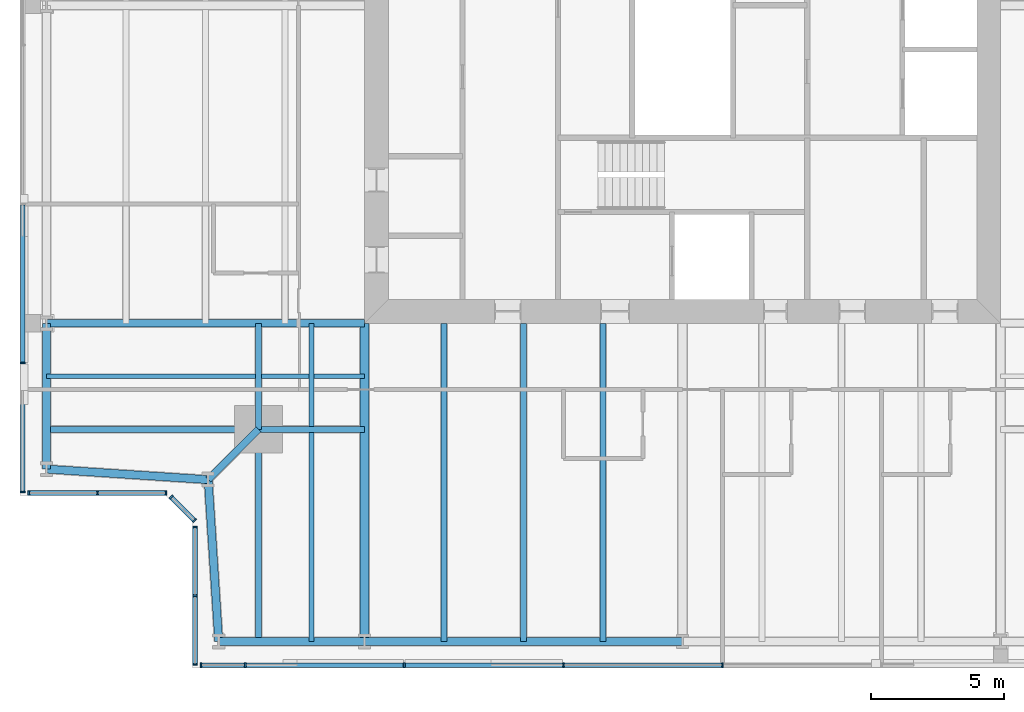
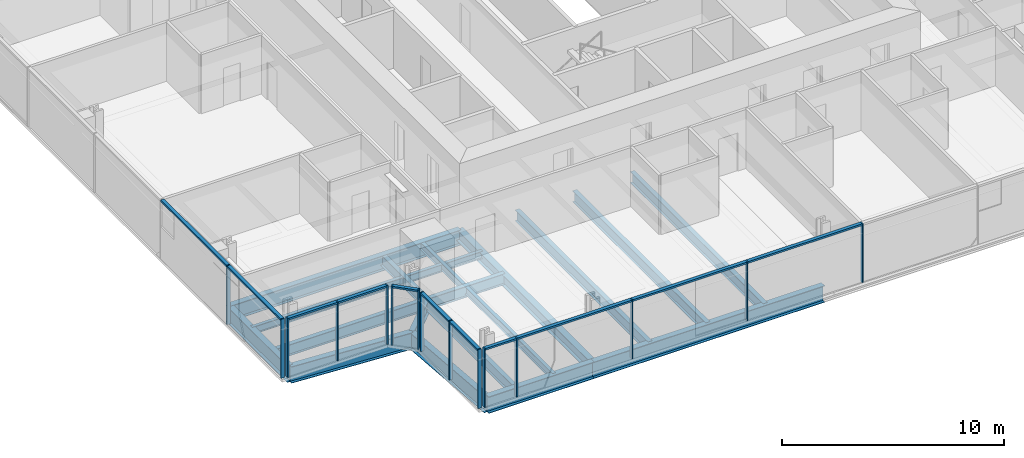
# One storey, part 2 of 18: 26 members, 20 beams, 5 elements without a shape of their own.
"""IFC4 building model written with IfcOpenShell, lengths in metres."""

from ifc_helpers import new_model, si_unit, direction, frame, origin, origin_2d, place, context, subcontext, project, spatial, rectangle, i_section, extrude, material, material_profile, profile_set, type_object, element, aggregate, save


model = new_model("IFC4")

# Units and contexts
model_context = context("Model", 3, precision=1e-05, world=origin(), true_north=direction((0.0, 1.0)))
body_context = subcontext(model_context, "Body", "Model", "MODEL_VIEW")
ifc_project = project(units=[si_unit("LENGTHUNIT", "METRE"), si_unit("AREAUNIT", "SQUARE_METRE"), si_unit("VOLUMEUNIT", "CUBIC_METRE"), si_unit("PLANEANGLEUNIT", "RADIAN"), si_unit("MASSUNIT", "GRAM", prefix="KILO")], contexts=[model_context])

# Site, building, storey
site_placement = place(None, origin())
site = spatial("IfcSite", under=ifc_project, at=site_placement, CompositionType="ELEMENT")
building_placement = place(site_placement, origin())
building = spatial("IfcBuilding", under=site, at=building_placement, Name="Fenwick Lantern Interchange", CompositionType="ELEMENT")
storey_placement = place(building_placement, frame((0.0, 0.0, 266.199951171875)))
storey = spatial("IfcBuildingStorey", under=building, at=storey_placement, Name="L63", CompositionType="ELEMENT", Elevation=266.199951171875)

# Beams
ifc_material_1 = material(Name="Steel ASTM A992 Grade 50", Category="steel")
ifc_material_profile_1 = material_profile(ifc_material_1, i_section(OverallWidth=0.3046875, OverallDepth=0.911865234375, WebThickness=0.015869140625, FlangeThickness=0.02392578125, at=origin_2d()), Name="W36X150")
ifc_profile_set_1 = profile_set([ifc_material_profile_1], Name="Steel ASTM A992 Grade 50")
beam_type_1 = type_object("IfcBeamType", Name="EDGE BEAM W36X150", PredefinedType="SPANDREL", material=ifc_profile_set_1)
beam_1_placement = place(storey_placement, frame((7.5, 1.0, -0.60595703125), z_axis=(1.0, 0.0, 0.0), x_axis=(0.0, 1.0, 0.0)))
element("IfcBeam", 1, at=beam_1_placement, inside=storey, type_object=beam_type_1, Name="L63/FR/S/EB1", PredefinedType="SPANDREL", context=body_context, shape_type="SweptSolid", body=[
    extrude(i_section(OverallWidth=0.3046875, OverallDepth=0.911865234375, WebThickness=0.015869140625, FlangeThickness=0.02392578125, at=origin_2d()), origin(), (0.0, 0.0, 1.0), 5.5),
])
beam_2_placement = place(storey_placement, frame((13.0, 1.0, -0.60595703125), z_axis=(1.0, 0.0, 0.0), x_axis=(0.0, 1.0, 0.0)))
element("IfcBeam", 2, at=beam_2_placement, inside=storey, type_object=beam_type_1, Name="L63/FR/S/EB2", PredefinedType="SPANDREL", context=body_context, shape_type="SweptSolid", body=[
    extrude(i_section(OverallWidth=0.3046875, OverallDepth=0.911865234375, WebThickness=0.015869140625, FlangeThickness=0.02392578125, at=origin_2d()), origin(), (0.0, 0.0, 1.0), 12.0),
])
beam_3_placement = place(storey_placement, frame((1.0, 13.0, -0.60595703125), z_axis=(0.0, -1.0, 0.0), x_axis=(1.0, 0.0, 0.0)))
element("IfcBeam", 3, at=beam_3_placement, inside=storey, type_object=beam_type_1, Name="L63/FR/W/EB4", PredefinedType="SPANDREL", context=body_context, shape_type="SweptSolid", body=[
    extrude(i_section(OverallWidth=0.3046875, OverallDepth=0.911865234375, WebThickness=0.015869140625, FlangeThickness=0.02392578125, at=origin_2d()), origin(), (0.0, 0.0, 1.0), 5.5),
])
for number, where, z_axis, x_axis, name in (
    (4, (1.0, 7.5, -0.60595703125), (0.997858060337, -0.065416293237, 0.0), (0.065416293237, 0.997858060337, 0.0), "L63/FR/W/EBR1"),
    (5, (7.10009765625, 7.10009765625, -0.60595703125), (0.065416293237, -0.997858060337, 0.0), (0.997858060337, 0.065416293237, 0.0), "L63/FR/W/EBR2"),
):
    element("IfcBeam", number, at=place(storey_placement, frame(where, z_axis=z_axis, x_axis=x_axis)), inside=storey, type_object=beam_type_1, Name=name, PredefinedType="SPANDREL", context=body_context, shape_type="SweptSolid", body=[
        extrude(i_section(OverallWidth=0.3046875, OverallDepth=0.911865234375, WebThickness=0.015869140625, FlangeThickness=0.02392578125, at=origin_2d()), origin(), (0.0, 0.0, 1.0), 6.11328125),
    ])
ifc_material_profile_2 = material_profile(ifc_material_1, i_section(OverallWidth=0.22900390625, OverallDepth=0.612060546875, WebThickness=0.011962890625, FlangeThickness=0.01953125, at=origin_2d()), Name="W24X84")
ifc_profile_set_2 = profile_set([ifc_material_profile_2], Name="Steel ASTM A992 Grade 50")
beam_type_2 = type_object("IfcBeamType", Name="FLOOR BEAM W24X84", PredefinedType="BEAM", material=ifc_profile_set_2)
for number, where, z_axis, x_axis, name in (
    (6, (16.0, 1.0, -0.4560546875), (0.0, 1.0, 0.0), (-1.0, 0.0, 0.0), "L63/FR/S/R02"),
    (7, (19.0, 1.0, -0.4560546875), (0.0, 1.0, 0.0), (-1.0, 0.0, 0.0), "L63/FR/S/R03"),
    (8, (22.0, 1.0, -0.4560546875), (0.0, 1.0, 0.0), (-1.0, 0.0, 0.0), "L63/FR/S/R04"),
):
    element("IfcBeam", number, at=place(storey_placement, frame(where, z_axis=z_axis, x_axis=x_axis)), inside=storey, type_object=beam_type_2, Name=name, PredefinedType="BEAM", context=body_context, shape_type="SweptSolid", body=[
        extrude(i_section(OverallWidth=0.22900390625, OverallDepth=0.612060546875, WebThickness=0.011962890625, FlangeThickness=0.01953125, at=origin_2d()), origin(), (0.0, 0.0, 1.0), 12.0),
    ])

# Curtain wall, members
ifc_material_2 = material(Name="Aluminium curtain wall frame", Category="aluminium")
curtain_wall_type = type_object("IfcCurtainWallType", Name="HOTEL CURTAIN WALL", PredefinedType="USERDEFINED", material=ifc_material_2)
curtain_wall_1_placement = place(storey_placement, origin())
curtain_wall_1 = element("IfcCurtainWall", 9, at=curtain_wall_1_placement, inside=storey, type_object=curtain_wall_type, Name="Hotel curtain wall 01", ObjectType="HOTEL CURTAIN WALL", PredefinedType="USERDEFINED")
ifc_material_3 = material(Name="Aluminium extrusion", Category="aluminium")
ifc_material_profile_3 = material_profile(ifc_material_3, rectangle(XDim=0.179931640625, YDim=0.06005859375, at=origin_2d()), Name="HOTEL CURTAIN WALL MULLION 60 X 180")
ifc_profile_set_3 = profile_set([ifc_material_profile_3], Name="Aluminium extrusion")
member_type_1 = type_object("IfcMemberType", Name="HOTEL CURTAIN WALL MULLION 60 X 180", PredefinedType="MULLION", material=ifc_profile_set_3)
member_1_placement = place(storey_placement, frame((6.830078125, 0.10009765625, 0.0), z_axis=(0.0, 0.0, 1.0), x_axis=(0.0, 1.0, 0.0)))
member_1 = element("IfcMember", 10, at=member_1_placement, type_object=member_type_1, Name="L63/CW/01/M00", PredefinedType="MULLION", context=body_context, shape_type="SweptSolid", body=[
    extrude(rectangle(XDim=0.179931640625, YDim=0.06005859375, at=origin_2d()), origin(), (0.0, 0.0, 1.0), 3.25),
])
member_2_placement = place(storey_placement, frame((8.5, 0.10009765625, 0.0), z_axis=(0.0, 0.0, 1.0), x_axis=(0.0, 1.0, 0.0)))
member_2 = element("IfcMember", 11, at=member_2_placement, type_object=member_type_1, Name="L63/CW/01/M01", PredefinedType="MULLION", context=body_context, shape_type="SweptSolid", body=[
    extrude(rectangle(XDim=0.179931640625, YDim=0.06005859375, at=origin_2d()), origin(), (0.0, 0.0, 1.0), 3.25),
])
member_3_placement = place(storey_placement, frame((14.5, 0.10009765625, 0.0), z_axis=(0.0, 0.0, 1.0), x_axis=(0.0, 1.0, 0.0)))
member_3 = element("IfcMember", 12, at=member_3_placement, type_object=member_type_1, Name="L63/CW/01/M02", PredefinedType="MULLION", context=body_context, shape_type="SweptSolid", body=[
    extrude(rectangle(XDim=0.179931640625, YDim=0.06005859375, at=origin_2d()), origin(), (0.0, 0.0, 1.0), 3.25),
])
member_4_placement = place(storey_placement, frame((20.5, 0.10009765625, 0.0), z_axis=(0.0, 0.0, 1.0), x_axis=(0.0, 1.0, 0.0)))
member_4 = element("IfcMember", 13, at=member_4_placement, type_object=member_type_1, Name="L63/CW/01/M03", PredefinedType="MULLION", context=body_context, shape_type="SweptSolid", body=[
    extrude(rectangle(XDim=0.179931640625, YDim=0.06005859375, at=origin_2d()), origin(), (0.0, 0.0, 1.0), 3.25),
])
member_5_placement = place(storey_placement, frame((26.5, 0.10009765625, 0.0), z_axis=(0.0, 0.0, 1.0), x_axis=(0.0, 1.0, 0.0)))
member_5 = element("IfcMember", 14, at=member_5_placement, type_object=member_type_1, Name="L63/CW/01/M04", PredefinedType="MULLION", context=body_context, shape_type="SweptSolid", body=[
    extrude(rectangle(XDim=0.179931640625, YDim=0.06005859375, at=origin_2d()), origin(), (0.0, 0.0, 1.0), 3.25),
])

curtain_wall_2_placement = place(storey_placement, origin())
curtain_wall_2 = element("IfcCurtainWall", 15, at=curtain_wall_2_placement, inside=storey, type_object=curtain_wall_type, Name="Hotel curtain wall 13", ObjectType="HOTEL CURTAIN WALL", PredefinedType="USERDEFINED")
member_6_placement = place(storey_placement, frame((0.10009765625, 11.5, 0.0), z_axis=(0.0, 0.0, 1.0), x_axis=(1.0, 0.0, 0.0)))
member_6 = element("IfcMember", 16, at=member_6_placement, type_object=member_type_1, Name="L63/CW/13/M06", PredefinedType="MULLION", context=body_context, shape_type="SweptSolid", body=[
    extrude(rectangle(XDim=0.179931640625, YDim=0.06005859375, at=origin_2d()), origin(), (0.0, 0.0, 1.0), 3.25),
])
member_7_placement = place(storey_placement, frame((0.10009765625, 6.6298828125, 0.0), z_axis=(0.0, 0.0, 1.0), x_axis=(1.0, 0.0, 0.0)))
member_7 = element("IfcMember", 17, at=member_7_placement, type_object=member_type_1, Name="L63/CW/13/M07", PredefinedType="MULLION", context=body_context, shape_type="SweptSolid", body=[
    extrude(rectangle(XDim=0.179931640625, YDim=0.06005859375, at=origin_2d()), origin(), (0.0, 0.0, 1.0), 3.25),
])

curtain_wall_3_placement = place(storey_placement, origin())
curtain_wall_3 = element("IfcCurtainWall", 18, at=curtain_wall_3_placement, inside=storey, type_object=curtain_wall_type, Name="Hotel curtain wall 14", ObjectType="HOTEL CURTAIN WALL", PredefinedType="USERDEFINED")
member_8_placement = place(storey_placement, frame((0.330078125, 6.60009765625, 0.0), z_axis=(0.0, 0.0, 1.0), x_axis=(0.0, 1.0, 0.0)))
member_8 = element("IfcMember", 19, at=member_8_placement, type_object=member_type_1, Name="L63/CW/14/M00", PredefinedType="MULLION", context=body_context, shape_type="SweptSolid", body=[
    extrude(rectangle(XDim=0.179931640625, YDim=0.06005859375, at=origin_2d()), origin(), (0.0, 0.0, 1.0), 3.25),
])
member_9_placement = place(storey_placement, frame((2.920654296875, 6.60009765625, 0.0), z_axis=(0.0, 0.0, 1.0), x_axis=(0.0, 1.0, 0.0)))
member_9 = element("IfcMember", 20, at=member_9_placement, type_object=member_type_1, Name="L63/CW/14/M01", PredefinedType="MULLION", context=body_context, shape_type="SweptSolid", body=[
    extrude(rectangle(XDim=0.179931640625, YDim=0.06005859375, at=origin_2d()), origin(), (0.0, 0.0, 1.0), 3.25),
])
member_10_placement = place(storey_placement, frame((5.511474609375, 6.60009765625, 0.0), z_axis=(0.0, 0.0, 1.0), x_axis=(0.0, 1.0, 0.0)))
member_10 = element("IfcMember", 21, at=member_10_placement, type_object=member_type_1, Name="L63/CW/14/M02", PredefinedType="MULLION", context=body_context, shape_type="SweptSolid", body=[
    extrude(rectangle(XDim=0.179931640625, YDim=0.06005859375, at=origin_2d()), origin(), (0.0, 0.0, 1.0), 3.25),
])

curtain_wall_4_placement = place(storey_placement, origin())
curtain_wall_4 = element("IfcCurtainWall", 22, at=curtain_wall_4_placement, inside=storey, type_object=curtain_wall_type, Name="Hotel curtain wall 15", ObjectType="HOTEL CURTAIN WALL", PredefinedType="USERDEFINED")
member_11_placement = place(storey_placement, frame((5.7041015625, 6.437255859375, 0.0), z_axis=(0.0, 0.0, 1.0), x_axis=(0.707106781187, 0.707106781187, 0.0)))
member_11 = element("IfcMember", 23, at=member_11_placement, type_object=member_type_1, Name="L63/CW/15/M00", PredefinedType="MULLION", context=body_context, shape_type="SweptSolid", body=[
    extrude(rectangle(XDim=0.179931640625, YDim=0.06005859375, at=origin_2d()), origin(), (0.0, 0.0, 1.0), 3.25),
])
member_12_placement = place(storey_placement, frame((6.578857421875, 5.562744140625, 0.0), z_axis=(0.0, 0.0, 1.0), x_axis=(0.707106781187, 0.707106781187, 0.0)))
member_12 = element("IfcMember", 24, at=member_12_placement, type_object=member_type_1, Name="L63/CW/15/M01", PredefinedType="MULLION", context=body_context, shape_type="SweptSolid", body=[
    extrude(rectangle(XDim=0.179931640625, YDim=0.06005859375, at=origin_2d()), origin(), (0.0, 0.0, 1.0), 3.25),
])

curtain_wall_5_placement = place(storey_placement, origin())
curtain_wall_5 = element("IfcCurtainWall", 25, at=curtain_wall_5_placement, inside=storey, type_object=curtain_wall_type, Name="Hotel curtain wall 16", ObjectType="HOTEL CURTAIN WALL", PredefinedType="USERDEFINED")
member_13_placement = place(storey_placement, frame((6.60009765625, 5.3115234375, 0.0), z_axis=(0.0, 0.0, 1.0), x_axis=(1.0, 0.0, 0.0)))
member_13 = element("IfcMember", 26, at=member_13_placement, type_object=member_type_1, Name="L63/CW/16/M00", PredefinedType="MULLION", context=body_context, shape_type="SweptSolid", body=[
    extrude(rectangle(XDim=0.179931640625, YDim=0.06005859375, at=origin_2d()), origin(), (0.0, 0.0, 1.0), 3.25),
])
member_14_placement = place(storey_placement, frame((6.60009765625, 2.720703125, 0.0), z_axis=(0.0, 0.0, 1.0), x_axis=(1.0, 0.0, 0.0)))
member_14 = element("IfcMember", 27, at=member_14_placement, type_object=member_type_1, Name="L63/CW/16/M01", PredefinedType="MULLION", context=body_context, shape_type="SweptSolid", body=[
    extrude(rectangle(XDim=0.179931640625, YDim=0.06005859375, at=origin_2d()), origin(), (0.0, 0.0, 1.0), 3.25),
])
member_15_placement = place(storey_placement, frame((6.60009765625, 0.1298828125, 0.0), z_axis=(0.0, 0.0, 1.0), x_axis=(1.0, 0.0, 0.0)))
member_15 = element("IfcMember", 28, at=member_15_placement, type_object=member_type_1, Name="L63/CW/16/M02", PredefinedType="MULLION", context=body_context, shape_type="SweptSolid", body=[
    extrude(rectangle(XDim=0.179931640625, YDim=0.06005859375, at=origin_2d()), origin(), (0.0, 0.0, 1.0), 3.25),
])

# Member
ifc_material_profile_4 = material_profile(ifc_material_3, rectangle(XDim=0.179931640625, YDim=0.10009765625, at=origin_2d()), Name="HOTEL CURTAIN WALL TRANSOM 100 X 180")
ifc_profile_set_4 = profile_set([ifc_material_profile_4], Name="Aluminium extrusion")
member_type_2 = type_object("IfcMemberType", Name="HOTEL CURTAIN WALL TRANSOM 100 X 180", PredefinedType="MULLION", material=ifc_profile_set_4)
member_16_placement = place(storey_placement, frame((6.860107421875, 0.10009765625, 3.199951171875), z_axis=(1.0, 0.0, 0.0), x_axis=(0.0, 1.0, 0.0)))
member_16 = element("IfcMember", 29, at=member_16_placement, type_object=member_type_2, Name="L63/CW/01/T00", PredefinedType="MULLION", context=body_context, shape_type="SweptSolid", body=[
    extrude(rectangle(XDim=0.179931640625, YDim=0.10009765625, at=origin_2d()), origin(), (0.0, 0.0, 1.0), 1.60986328125),
])

member_17_placement = place(storey_placement, frame((8.530029296875, 0.10009765625, 3.199951171875), z_axis=(1.0, 0.0, 0.0), x_axis=(0.0, 1.0, 0.0)))
member_17 = element("IfcMember", 30, at=member_17_placement, type_object=member_type_2, Name="L63/CW/01/T01", PredefinedType="MULLION", context=body_context, shape_type="SweptSolid", body=[
    extrude(rectangle(XDim=0.179931640625, YDim=0.10009765625, at=origin_2d()), origin(), (0.0, 0.0, 1.0), 5.93994140625),
])

member_18_placement = place(storey_placement, frame((14.530029296875, 0.10009765625, 3.199951171875), z_axis=(1.0, 0.0, 0.0), x_axis=(0.0, 1.0, 0.0)))
member_18 = element("IfcMember", 31, at=member_18_placement, type_object=member_type_2, Name="L63/CW/01/T02", PredefinedType="MULLION", context=body_context, shape_type="SweptSolid", body=[
    extrude(rectangle(XDim=0.179931640625, YDim=0.10009765625, at=origin_2d()), origin(), (0.0, 0.0, 1.0), 5.93994140625),
])

member_19_placement = place(storey_placement, frame((20.530029296875, 0.10009765625, 3.199951171875), z_axis=(1.0, 0.0, 0.0), x_axis=(0.0, 1.0, 0.0)))
member_19 = element("IfcMember", 32, at=member_19_placement, type_object=member_type_2, Name="L63/CW/01/T03", PredefinedType="MULLION", context=body_context, shape_type="SweptSolid", body=[
    extrude(rectangle(XDim=0.179931640625, YDim=0.10009765625, at=origin_2d()), origin(), (0.0, 0.0, 1.0), 5.93994140625),
])

aggregate(curtain_wall_1, [member_1, member_2, member_3, member_4, member_5, member_16, member_17, member_18, member_19])

member_20_placement = place(storey_placement, frame((0.10009765625, 17.469970703125, 3.199951171875), z_axis=(0.0, -1.0, 0.0), x_axis=(1.0, 0.0, 0.0)))
member_20 = element("IfcMember", 33, at=member_20_placement, type_object=member_type_2, Name="L63/CW/13/T05", PredefinedType="MULLION", context=body_context, shape_type="SweptSolid", body=[
    extrude(rectangle(XDim=0.179931640625, YDim=0.10009765625, at=origin_2d()), origin(), (0.0, 0.0, 1.0), 5.93994140625),
])

member_21_placement = place(storey_placement, frame((0.10009765625, 11.469970703125, 3.199951171875), z_axis=(0.0, -1.0, 0.0), x_axis=(1.0, 0.0, 0.0)))
member_21 = element("IfcMember", 34, at=member_21_placement, type_object=member_type_2, Name="L63/CW/13/T06", PredefinedType="MULLION", context=body_context, shape_type="SweptSolid", body=[
    extrude(rectangle(XDim=0.179931640625, YDim=0.10009765625, at=origin_2d()), origin(), (0.0, 0.0, 1.0), 4.81005859375),
])

aggregate(curtain_wall_2, [member_6, member_7, member_20, member_21])

member_22_placement = place(storey_placement, frame((0.360107421875, 6.60009765625, 3.199951171875), z_axis=(1.0, 0.0, 0.0), x_axis=(0.0, 1.0, 0.0)))
member_22 = element("IfcMember", 35, at=member_22_placement, type_object=member_type_2, Name="L63/CW/14/T00", PredefinedType="MULLION", context=body_context, shape_type="SweptSolid", body=[
    extrude(rectangle(XDim=0.179931640625, YDim=0.10009765625, at=origin_2d()), origin(), (0.0, 0.0, 1.0), 2.530517578125),
])

member_23_placement = place(storey_placement, frame((2.95068359375, 6.60009765625, 3.199951171875), z_axis=(1.0, 0.0, 0.0), x_axis=(0.0, 1.0, 0.0)))
member_23 = element("IfcMember", 36, at=member_23_placement, type_object=member_type_2, Name="L63/CW/14/T01", PredefinedType="MULLION", context=body_context, shape_type="SweptSolid", body=[
    extrude(rectangle(XDim=0.179931640625, YDim=0.10009765625, at=origin_2d()), origin(), (0.0, 0.0, 1.0), 2.53076171875),
])

aggregate(curtain_wall_3, [member_8, member_9, member_10, member_22, member_23])

member_24_placement = place(storey_placement, frame((5.725341796875, 6.416259765625, 3.199951171875), z_axis=(0.707003077033, -0.707210470133, 0.0), x_axis=(0.707210470133, 0.707003077033, 0.0)))
member_24 = element("IfcMember", 37, at=member_24_placement, type_object=member_type_2, Name="L63/CW/15/T00", PredefinedType="MULLION", context=body_context, shape_type="SweptSolid", body=[
    extrude(rectangle(XDim=0.179931640625, YDim=0.10009765625, at=origin_2d()), origin(), (0.0, 0.0, 1.0), 1.17724609375),
])

aggregate(curtain_wall_4, [member_11, member_12, member_24])

member_25_placement = place(storey_placement, frame((6.60009765625, 5.281494140625, 3.199951171875), z_axis=(0.0, -1.0, 0.0), x_axis=(1.0, 0.0, 0.0)))
member_25 = element("IfcMember", 38, at=member_25_placement, type_object=member_type_2, Name="L63/CW/16/T00", PredefinedType="MULLION", context=body_context, shape_type="SweptSolid", body=[
    extrude(rectangle(XDim=0.179931640625, YDim=0.10009765625, at=origin_2d()), origin(), (0.0, 0.0, 1.0), 2.53076171875),
])

member_26_placement = place(storey_placement, frame((6.60009765625, 2.690673828125, 3.199951171875), z_axis=(0.0, -1.0, 0.0), x_axis=(1.0, 0.0, 0.0)))
member_26 = element("IfcMember", 39, at=member_26_placement, type_object=member_type_2, Name="L63/CW/16/T01", PredefinedType="MULLION", context=body_context, shape_type="SweptSolid", body=[
    extrude(rectangle(XDim=0.179931640625, YDim=0.10009765625, at=origin_2d()), origin(), (0.0, 0.0, 1.0), 2.53076171875),
])

aggregate(curtain_wall_5, [member_13, member_14, member_15, member_25, member_26])

# Beams
ifc_material_profile_5 = material_profile(ifc_material_1, i_section(OverallWidth=0.177734375, OverallDepth=0.406494140625, WebThickness=0.0078125, FlangeThickness=0.012939453125, at=origin_2d()), Name="W16X40")
ifc_profile_set_5 = profile_set([ifc_material_profile_5], Name="Steel ASTM A992 Grade 50")
beam_type_3 = type_object("IfcBeamType", Name="INFILL BEAM W16X40", PredefinedType="JOIST", material=ifc_profile_set_5)
beam_4_placement = place(storey_placement, frame((11.0, 1.0, -0.353271484375), z_axis=(0.0, 1.0, 0.0), x_axis=(-1.0, 0.0, 0.0)))
element("IfcBeam", 40, at=beam_4_placement, inside=storey, type_object=beam_type_3, Name="L63/FR/S/J1", PredefinedType="JOIST", context=body_context, shape_type="SweptSolid", body=[
    extrude(i_section(OverallWidth=0.177734375, OverallDepth=0.406494140625, WebThickness=0.0078125, FlangeThickness=0.012939453125, at=origin_2d()), origin(), (0.0, 0.0, 1.0), 7.885498046875),
])
beam_5_placement = place(storey_placement, frame((11.0, 9.114501953125, -0.353271484375), z_axis=(0.0, 1.0, 0.0), x_axis=(-1.0, 0.0, 0.0)))
element("IfcBeam", 41, at=beam_5_placement, inside=storey, type_object=beam_type_3, Name="L63/FR/S/J2", PredefinedType="JOIST", context=body_context, shape_type="SweptSolid", body=[
    extrude(i_section(OverallWidth=0.177734375, OverallDepth=0.406494140625, WebThickness=0.0078125, FlangeThickness=0.012939453125, at=origin_2d()), origin(), (0.0, 0.0, 1.0), 3.885498046875),
])
beam_6_placement = place(storey_placement, frame((1.0, 11.0, -0.353271484375), z_axis=(1.0, 0.0, 0.0), x_axis=(0.0, 1.0, 0.0)))
element("IfcBeam", 42, at=beam_6_placement, inside=storey, type_object=beam_type_3, Name="L63/FR/S/J3", PredefinedType="JOIST", context=body_context, shape_type="SweptSolid", body=[
    extrude(i_section(OverallWidth=0.177734375, OverallDepth=0.406494140625, WebThickness=0.0078125, FlangeThickness=0.012939453125, at=origin_2d()), origin(), (0.0, 0.0, 1.0), 7.885498046875),
])
beam_7_placement = place(storey_placement, frame((9.114501953125, 11.0, -0.353271484375), z_axis=(1.0, 0.0, 0.0), x_axis=(0.0, 1.0, 0.0)))
element("IfcBeam", 43, at=beam_7_placement, inside=storey, type_object=beam_type_3, Name="L63/FR/S/J4", PredefinedType="JOIST", context=body_context, shape_type="SweptSolid", body=[
    extrude(i_section(OverallWidth=0.177734375, OverallDepth=0.406494140625, WebThickness=0.0078125, FlangeThickness=0.012939453125, at=origin_2d()), origin(), (0.0, 0.0, 1.0), 1.796630859375),
])
beam_8_placement = place(storey_placement, frame((11.0888671875, 11.0, -0.353271484375), z_axis=(1.0, 0.0, 0.0), x_axis=(0.0, 1.0, 0.0)))
element("IfcBeam", 44, at=beam_8_placement, inside=storey, type_object=beam_type_3, Name="L63/FR/S/J5", PredefinedType="JOIST", context=body_context, shape_type="SweptSolid", body=[
    extrude(i_section(OverallWidth=0.177734375, OverallDepth=0.406494140625, WebThickness=0.0078125, FlangeThickness=0.012939453125, at=origin_2d()), origin(), (0.0, 0.0, 1.0), 1.9111328125),
])
ifc_material_profile_6 = material_profile(ifc_material_1, i_section(OverallWidth=0.22900390625, OverallDepth=0.612060546875, WebThickness=0.011962890625, FlangeThickness=0.01953125, at=origin_2d()), Name="W24X84")
ifc_profile_set_6 = profile_set([ifc_material_profile_6], Name="Steel ASTM A992 Grade 50")
beam_type_4 = type_object("IfcBeamType", Name="MEGA COLUMN BEAM W24X84", PredefinedType="BEAM", material=ifc_profile_set_6)
for number, where, z_axis, x_axis, name in (
    (45, (9.0, 9.0, -0.4560546875), (0.0, -1.0, 0.0), (1.0, 0.0, 0.0), "L63/FR/S/MB1"),
    (46, (9.0, 9.0, -0.4560546875), (-1.0, 0.0, 0.0), (0.0, -1.0, 0.0), "L63/FR/S/MB2"),
):
    element("IfcBeam", number, at=place(storey_placement, frame(where, z_axis=z_axis, x_axis=x_axis)), inside=storey, type_object=beam_type_4, Name=name, PredefinedType="BEAM", context=body_context, shape_type="SweptSolid", body=[
        extrude(i_section(OverallWidth=0.22900390625, OverallDepth=0.612060546875, WebThickness=0.011962890625, FlangeThickness=0.01953125, at=origin_2d()), origin(), (0.0, 0.0, 1.0), 8.0),
    ])
for number, where, z_axis, x_axis, name in (
    (47, (9.0, 9.0, -0.4560546875), (1.0, 0.0, 0.0), (0.0, 1.0, 0.0), "L63/FR/S/MB3"),
    (48, (9.0, 9.0, -0.4560546875), (0.0, 1.0, 0.0), (-1.0, 0.0, 0.0), "L63/FR/S/MB4"),
):
    element("IfcBeam", number, at=place(storey_placement, frame(where, z_axis=z_axis, x_axis=x_axis)), inside=storey, type_object=beam_type_4, Name=name, PredefinedType="BEAM", context=body_context, shape_type="SweptSolid", body=[
        extrude(i_section(OverallWidth=0.22900390625, OverallDepth=0.612060546875, WebThickness=0.011962890625, FlangeThickness=0.01953125, at=origin_2d()), origin(), (0.0, 0.0, 1.0), 4.0),
    ])
ifc_material_profile_7 = material_profile(ifc_material_1, i_section(OverallWidth=0.32763671875, OverallDepth=0.622314453125, WebThickness=0.015380859375, FlangeThickness=0.0244140625, at=origin_2d()), Name="W24X131")
ifc_profile_set_7 = profile_set([ifc_material_profile_7], Name="Steel ASTM A992 Grade 50")
beam_type_5 = type_object("IfcBeamType", Name="MOMENT-CONNECTED GIRDER W24X131", PredefinedType="BEAM", material=ifc_profile_set_7)
beam_9_placement = place(storey_placement, frame((13.0, 1.0, -0.461181640625), z_axis=(0.0, 1.0, 0.0), x_axis=(-1.0, 0.0, 0.0)))
element("IfcBeam", 49, at=beam_9_placement, inside=storey, type_object=beam_type_5, Name="L63/FR/S/R01", PredefinedType="BEAM", context=body_context, shape_type="SweptSolid", body=[
    extrude(i_section(OverallWidth=0.32763671875, OverallDepth=0.622314453125, WebThickness=0.015380859375, FlangeThickness=0.0244140625, at=origin_2d()), origin(), (0.0, 0.0, 1.0), 12.0),
])
ifc_material_profile_8 = material_profile(ifc_material_1, i_section(OverallWidth=0.2919921875, OverallDepth=0.845703125, WebThickness=0.015380859375, FlangeThickness=0.0244140625, at=origin_2d()), Name="W33X141")
ifc_profile_set_8 = profile_set([ifc_material_profile_8], Name="Steel ASTM A992 Grade 50")
beam_type_6 = type_object("IfcBeamType", Name="MOMENT-CONNECTED GIRDER W33X141", PredefinedType="BEAM", material=ifc_profile_set_8)
beam_10_placement = place(storey_placement, frame((1.0, 13.0, -0.57275390625), z_axis=(1.0, 0.0, 0.0), x_axis=(0.0, 1.0, 0.0)))
element("IfcBeam", 50, at=beam_10_placement, inside=storey, type_object=beam_type_6, Name="L63/FR/W/R03", PredefinedType="BEAM", context=body_context, shape_type="SweptSolid", body=[
    extrude(i_section(OverallWidth=0.2919921875, OverallDepth=0.845703125, WebThickness=0.015380859375, FlangeThickness=0.0244140625, at=origin_2d()), origin(), (0.0, 0.0, 1.0), 12.0),
])
ifc_material_profile_9 = material_profile(ifc_material_1, i_section(OverallWidth=0.2666015625, OverallDepth=0.7568359375, WebThickness=0.013916015625, FlangeThickness=0.019287109375, at=origin_2d()), Name="W30X108")
ifc_profile_set_9 = profile_set([ifc_material_profile_9], Name="Steel ASTM A992 Grade 50")
beam_type_7 = type_object("IfcBeamType", Name="NOTCH BEAM W30X108", PredefinedType="BEAM", material=ifc_profile_set_9)
beam_11_placement = place(storey_placement, frame((9.0, 9.0, -0.5283203125), z_axis=(-0.707106781187, -0.707106781187, 0.0), x_axis=(0.707106781187, -0.707106781187, 0.0)))
element("IfcBeam", 51, at=beam_11_placement, inside=storey, type_object=beam_type_7, Name="L63/FR/S/TG", PredefinedType="BEAM", context=body_context, shape_type="SweptSolid", body=[
    extrude(i_section(OverallWidth=0.2666015625, OverallDepth=0.7568359375, WebThickness=0.013916015625, FlangeThickness=0.019287109375, at=origin_2d()), origin(), (0.0, 0.0, 1.0), 2.686767578125),
])

save(model, "model.ifc")
